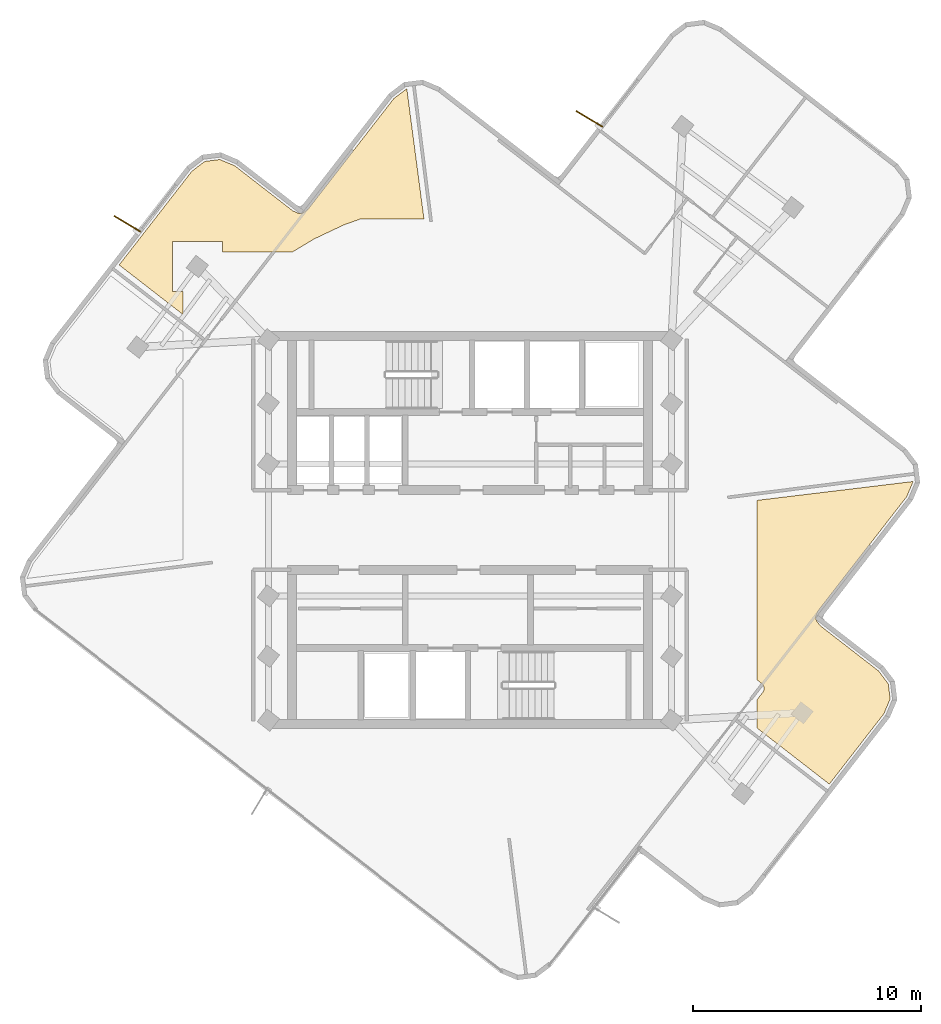
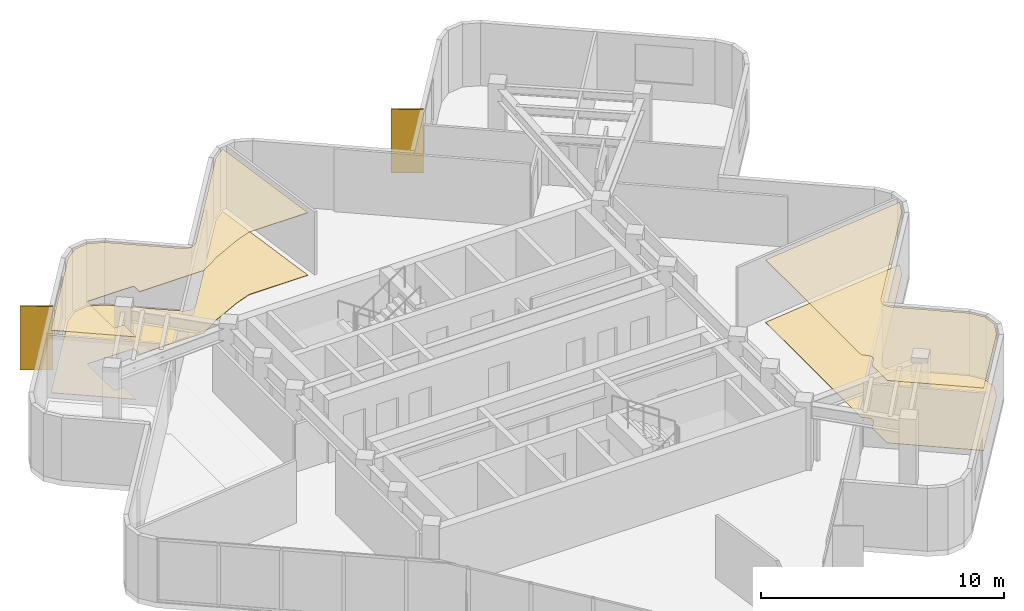
# One storey, part 10 of 10: 4 coverings, 2 shading devices.
"""IFC4 building model written with IfcOpenShell, lengths in metres."""

from ifc_helpers import new_model, si_unit, direction, frame, origin, origin_2d, place, context, subcontext, project, spatial, polyline, rectangle, outline, extrude, material, layer, layer_set, type_object, element, save


model = new_model("IFC4")

# Units and contexts
model_context = context("Model", 3, precision=1e-05, world=origin(), true_north=direction((0.0, 1.0)))
body_context = subcontext(model_context, "Body", "Model", "MODEL_VIEW")
ifc_project = project(units=[si_unit("LENGTHUNIT", "METRE"), si_unit("AREAUNIT", "SQUARE_METRE"), si_unit("VOLUMEUNIT", "CUBIC_METRE"), si_unit("PLANEANGLEUNIT", "RADIAN"), si_unit("MASSUNIT", "GRAM", prefix="KILO")], contexts=[model_context])

# Site, building, storey
site_placement = place(None, origin())
site = spatial("IfcSite", under=ifc_project, at=site_placement, CompositionType="ELEMENT")
building_placement = place(site_placement, origin())
building = spatial("IfcBuilding", under=site, at=building_placement, Name="Solmarez Civic Tower", CompositionType="ELEMENT")
storey_placement = place(building_placement, frame((0.0, 0.0, 257.760009765625)))
storey = spatial("IfcBuildingStorey", under=building, at=storey_placement, Name="L69", CompositionType="ELEMENT", Elevation=257.760009765625)

# Coverings
ifc_material_1 = material(Name="Perforated Mineral-Fibre Acoustic Ceiling")
ifc_layer_1 = layer(ifc_material_1, 0.02490234375)
ifc_layer_set_1 = layer_set([ifc_layer_1], Name="Perforated Mineral-Fibre Acoustic Ceiling")
covering_type_1 = type_object("IfcCoveringType", Name="COV-CEIL-ACOUSTIC", PredefinedType="CEILING", material=ifc_layer_set_1)
covering_1_placement = place(storey_placement, frame((0.0, 0.0, 3.135009765625)))
element("IfcCovering", 1, at=covering_1_placement, inside=storey, type_object=covering_type_1, Name="L69 Suspended Acoustic Ceiling 2", PredefinedType="CEILING", context=body_context, shape_type="SweptSolid", body=[
    extrude(outline(polyline([(12.60009765625, 1.300048828125), (12.60009765625, -6.5830078125), (12.804931640625, -6.741943359375), (12.825927734375, -6.760009765625), (12.8330078125, -6.76708984375), (12.84912109375, -6.785888671875), (12.864013671875, -6.805908203125), (12.868896484375, -6.81396484375), (12.883056640625, -6.842041015625), (12.886962890625, -6.85107421875), (12.889892578125, -6.85791015625), (12.89208984375, -6.863037109375), (12.89892578125, -6.883056640625), (12.904052734375, -6.903076171875), (12.906982421875, -6.923095703125), (12.907958984375, -6.93310546875), (12.908935546875, -6.9560546875), (12.907958984375, -6.97900390625), (12.906982421875, -6.988037109375), (12.904052734375, -7.007080078125), (12.903076171875, -7.011962890625), (12.89599609375, -7.0390625), (12.89306640625, -7.048095703125), (12.885009765625, -7.06689453125), (12.8759765625, -7.0849609375), (12.87109375, -7.093994140625), (12.863037109375, -7.10791015625), (12.85302734375, -7.1220703125), (12.60009765625, -7.447998046875), (12.60009765625, -8.697998046875), (15.77099609375, -11.156982421875), (18.1669921875, -8.068115234375), (18.44189453125, -7.4140625), (18.35791015625, -6.751953125), (17.929931640625, -6.18798828125), (15.406982421875, -4.23095703125), (15.39111328125, -4.218994140625), (15.3740234375, -4.202880859375), (15.35693359375, -4.18310546875), (15.35302734375, -4.178955078125), (15.346923828125, -4.1708984375), (15.242919921875, -4.033935546875), (15.235107421875, -4.02294921875), (15.23095703125, -4.01708984375), (15.222900390625, -4.00390625), (15.218994140625, -3.9970703125), (15.2080078125, -3.97509765625), (15.205078125, -3.968017578125), (15.195068359375, -3.94091796875), (15.193115234375, -3.93408203125), (15.19091796875, -3.927001953125), (15.18701171875, -3.910888671875), (15.18505859375, -3.89404296875), (15.18408203125, -3.885986328125), (15.181884765625, -3.85888671875), (15.181884765625, -3.843994140625), (15.18408203125, -3.81689453125), (15.18701171875, -3.798095703125), (15.18896484375, -3.791015625), (15.19091796875, -3.779052734375), (15.196044921875, -3.760009765625), (15.202880859375, -3.741943359375), (15.2060546875, -3.736083984375), (15.27197265625, -3.577880859375), (15.278076171875, -3.56494140625), (15.281005859375, -3.55908203125), (15.283935546875, -3.552978515625), (15.298095703125, -3.529052734375), (15.302001953125, -3.52294921875), (15.31103515625, -3.510009765625), (19.172119140625, 1.467041015625), (19.447021484375, 2.1201171875), (19.446044921875, 2.126953125), (12.60009765625, 1.300048828125)])), origin(), (0.0, 0.0, 1.0), 0.02490234375),
])
covering_2_placement = place(storey_placement, frame((0.0, 0.0, 3.135009765625)))
element("IfcCovering", 2, at=covering_2_placement, inside=storey, type_object=covering_type_1, Name="L69 Suspended Acoustic Ceiling 3", PredefinedType="CEILING", context=body_context, shape_type="SweptSolid", body=[
    extrude(outline(polyline([(-12.60009765625, 9.45703125), (-12.60009765625, 10.466064453125), (-13.071044921875, 10.466064453125), (-13.071044921875, 12.666015625), (-10.87109375, 12.666015625), (-10.87109375, 12.199951171875), (-7.797119140625, 12.199951171875), (-6.842041015625, 12.77294921875), (-6.826904296875, 12.781005859375), (-6.81396484375, 12.787109375), (-5.552978515625, 13.384033203125), (-5.532958984375, 13.39208984375), (-4.85107421875, 13.635986328125), (-4.844970703125, 13.637939453125), (-4.818115234375, 13.64501953125), (-4.81298828125, 13.64599609375), (-4.7919921875, 13.64892578125), (-4.77001953125, 13.64990234375), (-2.02197265625, 13.64990234375), (-2.77490234375, 19.364013671875), (-2.782958984375, 19.363037109375), (-3.346923828125, 18.93505859375), (-7.0849609375, 14.114990234375), (-7.10302734375, 14.093994140625), (-7.10791015625, 14.089111328125), (-7.113037109375, 14.083984375), (-7.132080078125, 14.068115234375), (-7.136962890625, 14.06396484375), (-7.14111328125, 14.06103515625), (-7.27587890625, 13.9580078125), (-7.29296875, 13.945068359375), (-7.31103515625, 13.93408203125), (-7.330078125, 13.925048828125), (-7.3369140625, 13.922119140625), (-7.35107421875, 13.916015625), (-7.367919921875, 13.909912109375), (-7.385009765625, 13.905029296875), (-7.39306640625, 13.903076171875), (-7.4189453125, 13.89794921875), (-7.43408203125, 13.89697265625), (-7.452880859375, 13.89501953125), (-7.472900390625, 13.89501953125), (-7.491943359375, 13.89697265625), (-7.4970703125, 13.89794921875), (-7.5029296875, 13.89892578125), (-7.52001953125, 13.90087890625), (-7.535888671875, 13.905029296875), (-7.54296875, 13.906982421875), (-7.570068359375, 13.9169921875), (-7.575927734375, 13.9189453125), (-7.73291015625, 13.985107421875), (-7.7470703125, 13.990966796875), (-7.7529296875, 13.993896484375), (-7.777099609375, 14.008056640625), (-7.782958984375, 14.011962890625), (-7.7890625, 14.01611328125), (-7.802001953125, 14.02490234375), (-10.330078125, 15.986083984375), (-10.98291015625, 16.260009765625), (-11.64599609375, 16.177001953125), (-12.2099609375, 15.748046875), (-15.403076171875, 11.632080078125), (-12.60009765625, 9.45703125)])), origin(), (0.0, 0.0, 1.0), 0.02490234375),
])
ifc_material_2 = material(Name="Polished Tropical Stone Terrazzo Flooring", Category="masonry")
ifc_layer_2 = layer(ifc_material_2, 0.02001953125)
ifc_layer_set_2 = layer_set([ifc_layer_2], Name="Polished Tropical Stone Terrazzo Flooring")
covering_type_2 = type_object("IfcCoveringType", Name="COV-FLOOR-TERRAZZO", PredefinedType="FLOORING", material=ifc_layer_set_2)
covering_3_placement = place(storey_placement, origin())
element("IfcCovering", 3, at=covering_3_placement, inside=storey, type_object=covering_type_2, Name="L69 Terrazzo Floor Finish 2", PredefinedType="FLOORING", context=body_context, shape_type="SweptSolid", body=[
    extrude(outline(polyline([(12.60009765625, 1.300048828125), (12.60009765625, -6.5830078125), (12.804931640625, -6.741943359375), (12.825927734375, -6.760009765625), (12.8330078125, -6.76708984375), (12.84912109375, -6.785888671875), (12.864013671875, -6.805908203125), (12.868896484375, -6.81396484375), (12.883056640625, -6.842041015625), (12.886962890625, -6.85107421875), (12.889892578125, -6.85791015625), (12.89208984375, -6.863037109375), (12.89892578125, -6.883056640625), (12.904052734375, -6.903076171875), (12.906982421875, -6.923095703125), (12.907958984375, -6.93310546875), (12.908935546875, -6.9560546875), (12.907958984375, -6.97900390625), (12.906982421875, -6.988037109375), (12.904052734375, -7.007080078125), (12.903076171875, -7.011962890625), (12.89599609375, -7.0390625), (12.89306640625, -7.048095703125), (12.885009765625, -7.06689453125), (12.8759765625, -7.0849609375), (12.87109375, -7.093994140625), (12.863037109375, -7.10791015625), (12.85302734375, -7.1220703125), (12.60009765625, -7.447998046875), (12.60009765625, -8.697998046875), (15.77099609375, -11.156982421875), (18.1669921875, -8.068115234375), (18.44189453125, -7.4140625), (18.35791015625, -6.751953125), (17.929931640625, -6.18798828125), (15.406982421875, -4.23095703125), (15.39111328125, -4.218994140625), (15.3740234375, -4.202880859375), (15.35693359375, -4.18310546875), (15.35302734375, -4.178955078125), (15.346923828125, -4.1708984375), (15.242919921875, -4.033935546875), (15.235107421875, -4.02294921875), (15.23095703125, -4.01708984375), (15.222900390625, -4.00390625), (15.218994140625, -3.9970703125), (15.2080078125, -3.97509765625), (15.205078125, -3.968017578125), (15.195068359375, -3.94091796875), (15.193115234375, -3.93408203125), (15.19091796875, -3.927001953125), (15.18701171875, -3.910888671875), (15.18505859375, -3.89404296875), (15.18408203125, -3.885986328125), (15.181884765625, -3.85888671875), (15.181884765625, -3.843994140625), (15.18408203125, -3.81689453125), (15.18701171875, -3.798095703125), (15.18896484375, -3.791015625), (15.19091796875, -3.779052734375), (15.196044921875, -3.760009765625), (15.202880859375, -3.741943359375), (15.2060546875, -3.736083984375), (15.27197265625, -3.577880859375), (15.278076171875, -3.56494140625), (15.281005859375, -3.55908203125), (15.283935546875, -3.552978515625), (15.298095703125, -3.529052734375), (15.302001953125, -3.52294921875), (15.31103515625, -3.510009765625), (19.172119140625, 1.467041015625), (19.447021484375, 2.1201171875), (19.446044921875, 2.126953125), (12.60009765625, 1.300048828125)])), origin(), (0.0, 0.0, 1.0), 0.02001953125),
])
covering_4_placement = place(storey_placement, origin())
element("IfcCovering", 4, at=covering_4_placement, inside=storey, type_object=covering_type_2, Name="L69 Terrazzo Floor Finish 3", PredefinedType="FLOORING", context=body_context, shape_type="SweptSolid", body=[
    extrude(outline(polyline([(-12.60009765625, 9.45703125), (-12.60009765625, 10.466064453125), (-13.071044921875, 10.466064453125), (-13.071044921875, 12.666015625), (-10.87109375, 12.666015625), (-10.87109375, 12.199951171875), (-7.797119140625, 12.199951171875), (-6.842041015625, 12.77294921875), (-6.826904296875, 12.781005859375), (-6.81396484375, 12.787109375), (-5.552978515625, 13.384033203125), (-5.532958984375, 13.39208984375), (-4.85107421875, 13.635986328125), (-4.844970703125, 13.637939453125), (-4.818115234375, 13.64501953125), (-4.81298828125, 13.64599609375), (-4.7919921875, 13.64892578125), (-4.77001953125, 13.64990234375), (-2.02197265625, 13.64990234375), (-2.77490234375, 19.364013671875), (-2.782958984375, 19.363037109375), (-3.346923828125, 18.93505859375), (-7.0849609375, 14.114990234375), (-7.10302734375, 14.093994140625), (-7.10791015625, 14.089111328125), (-7.113037109375, 14.083984375), (-7.132080078125, 14.068115234375), (-7.136962890625, 14.06396484375), (-7.14111328125, 14.06103515625), (-7.27587890625, 13.9580078125), (-7.29296875, 13.945068359375), (-7.31103515625, 13.93408203125), (-7.330078125, 13.925048828125), (-7.3369140625, 13.922119140625), (-7.35107421875, 13.916015625), (-7.367919921875, 13.909912109375), (-7.385009765625, 13.905029296875), (-7.39306640625, 13.903076171875), (-7.4189453125, 13.89794921875), (-7.43408203125, 13.89697265625), (-7.452880859375, 13.89501953125), (-7.472900390625, 13.89501953125), (-7.491943359375, 13.89697265625), (-7.4970703125, 13.89794921875), (-7.5029296875, 13.89892578125), (-7.52001953125, 13.90087890625), (-7.535888671875, 13.905029296875), (-7.54296875, 13.906982421875), (-7.570068359375, 13.9169921875), (-7.575927734375, 13.9189453125), (-7.73291015625, 13.985107421875), (-7.7470703125, 13.990966796875), (-7.7529296875, 13.993896484375), (-7.777099609375, 14.008056640625), (-7.782958984375, 14.011962890625), (-7.7890625, 14.01611328125), (-7.802001953125, 14.02490234375), (-10.330078125, 15.986083984375), (-10.98291015625, 16.260009765625), (-11.64599609375, 16.177001953125), (-12.2099609375, 15.748046875), (-15.403076171875, 11.632080078125), (-12.60009765625, 9.45703125)])), origin(), (0.0, 0.0, 1.0), 0.02001953125),
])

# Shading devices
ifc_material_3 = material(Name="Bronze Anodised Aluminium EN AW-6063 T6", Category="aluminium")
ifc_layer_3 = layer(ifc_material_3, 0.054931640625)
ifc_layer_set_3 = layer_set([ifc_layer_3], Name="Bronze Anodised Aluminium EN AW-6063 T6")
shading_device_type = type_object("IfcShadingDeviceType", Name="FIN-BRONZE-Z56", PredefinedType="USERDEFINED", material=ifc_layer_set_3)
for number, where, z_axis, x_axis, name in (
    (5, (-15.0439453125, 13.44091796875, -0.0400390625), (0.0, 0.0, 1.0), (-0.857508698344, 0.514469466795, 0.0), "L69 Anodised Bronze Solar Fin FIN-L69-03"),
    (6, (5.235107421875, 18.047119140625, -0.0400390625), (0.0, 0.0, 1.0), (-0.857463799148, 0.514544296587, 0.0), "L69 Anodised Bronze Solar Fin FIN-L69-04"),
):
    element("IfcShadingDevice", number, at=place(storey_placement, frame(where, z_axis=z_axis, x_axis=x_axis)), inside=storey, type_object=shading_device_type, Name=name, ObjectType="FIN", PredefinedType="USERDEFINED", context=body_context, shape_type="SweptSolid", body=[
        extrude(rectangle(XDim=1.35009765625, YDim=0.054931640625, at=origin_2d()), origin(), (0.0, 0.0, 1.0), 3.199951171875),
    ])

save(model, "model.ifc")
